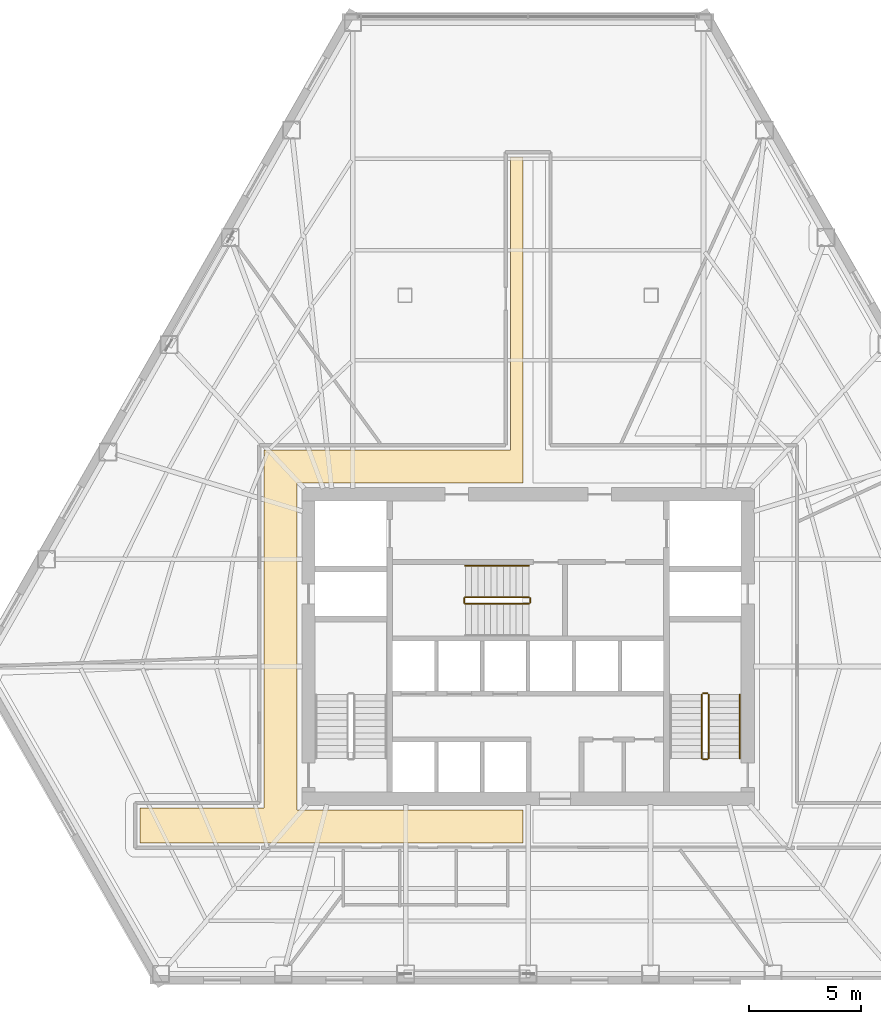
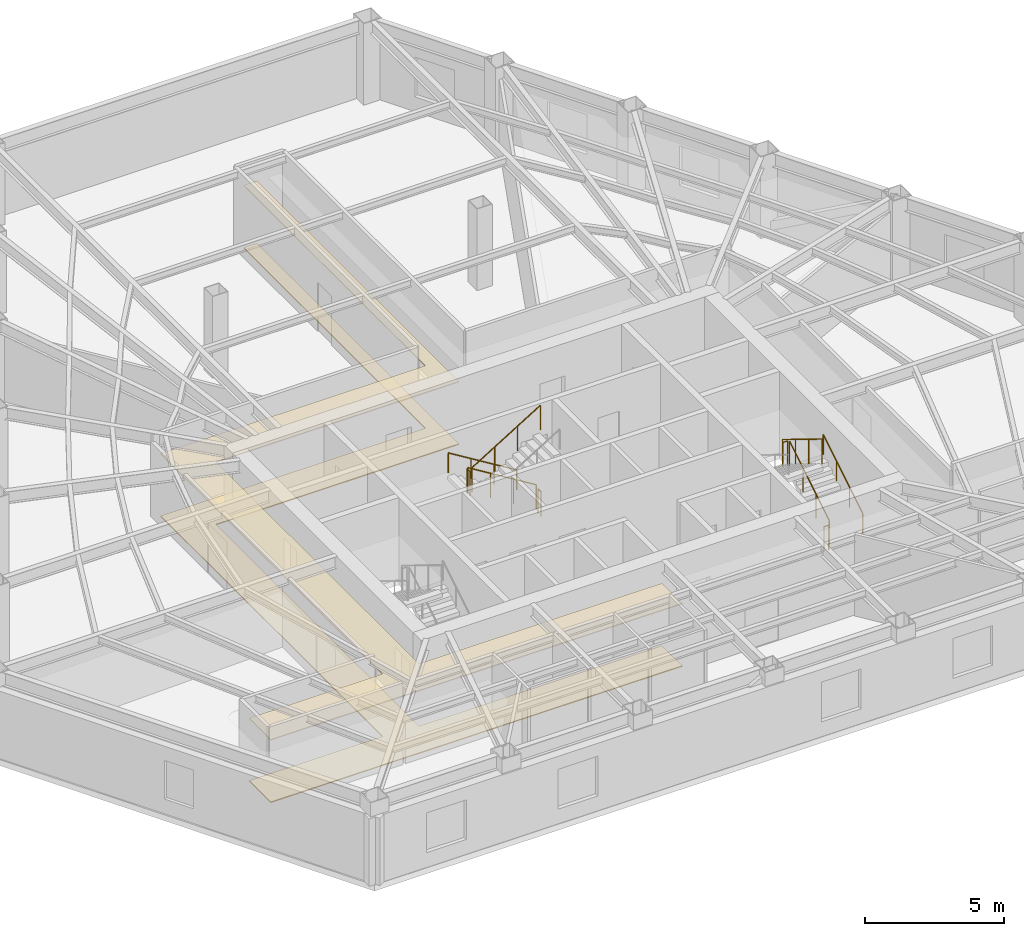
# One storey, part 11 of 12: 10 railings, 2 coverings.
"""IFC4 building model written with IfcOpenShell, lengths in metres."""

from ifc_helpers import new_model, si_unit, direction, frame, origin, origin_2d, place, context, subcontext, project, spatial, polyline, circle, outline, extrude, material, layer, layer_set, type_object, element, save


model = new_model("IFC4")

# Units and contexts
model_context = context("Model", 3, precision=1e-05, world=origin(), true_north=direction((0.0, 1.0)))
body_context = subcontext(model_context, "Body", "Model", "MODEL_VIEW")
ifc_project = project(units=[si_unit("LENGTHUNIT", "METRE"), si_unit("AREAUNIT", "SQUARE_METRE"), si_unit("VOLUMEUNIT", "CUBIC_METRE"), si_unit("PLANEANGLEUNIT", "RADIAN"), si_unit("MASSUNIT", "GRAM", prefix="KILO")], contexts=[model_context])

# Site, building, storey
site_placement = place(None, origin())
site = spatial("IfcSite", under=ifc_project, at=site_placement, CompositionType="ELEMENT")
building_placement = place(site_placement, origin())
building = spatial("IfcBuilding", under=site, at=building_placement, Name="Kavelnor Concourse Tower", CompositionType="ELEMENT")
storey_placement = place(building_placement, frame((0.0, 0.0, 21.39990234375)))
storey = spatial("IfcBuildingStorey", under=building, at=storey_placement, Name="L05", CompositionType="ELEMENT", Elevation=21.39990234375)

# Coverings
ifc_material_1 = material(Name="Mineral fibre acoustic ceiling tile")
ifc_layer_1 = layer(ifc_material_1, 0.0400390625, Name="Mineral fibre acoustic ceiling tile")
ifc_layer_set_1 = layer_set([ifc_layer_1], Name="Mineral fibre acoustic ceiling tile")
covering_type_1 = type_object("IfcCoveringType", Name="COV-CEILING-ACOUSTIC", PredefinedType="CEILING", material=ifc_layer_set_1)
covering_1_placement = place(storey_placement, frame((0.0, 0.0, 2.75)))
element("IfcCovering", 1, at=covering_1_placement, inside=storey, type_object=covering_type_1, Name="L05 Suspended Acoustic Ceiling", PredefinedType="CEILING", context=body_context, shape_type="SweptSolid", body=[
    extrude(outline(polyline([(37.219970703125, 37.97998046875), (37.77490234375, 37.97998046875), (37.77490234375, 23.419921875), (27.659912109375, 23.419921875), (27.659912109375, 8.780029296875), (37.77490234375, 8.780029296875), (37.77490234375, 7.320068359375), (20.650390625, 7.320068359375), (20.650390625, 8.8798828125), (26.199951171875, 8.8798828125), (26.199951171875, 24.8798828125), (37.219970703125, 24.8798828125), (37.219970703125, 37.97998046875)])), origin(), (0.0, 0.0, 1.0), 0.0400390625),
])
ifc_material_2 = material(Name="Honed bluestone and raised access floor finish", Category="masonry")
ifc_layer_2 = layer(ifc_material_2, 0.0400390625, Name="Honed bluestone and raised access floor finish")
ifc_layer_set_2 = layer_set([ifc_layer_2], Name="Honed bluestone and raised access floor finish")
covering_type_2 = type_object("IfcCoveringType", Name="COV-FLOOR-STONE", PredefinedType="FLOORING", material=ifc_layer_set_2)
covering_2_placement = place(storey_placement, frame((0.0, 0.0, 0.002197265625)))
element("IfcCovering", 2, at=covering_2_placement, inside=storey, type_object=covering_type_2, Name="L05 Honed Bluestone Floor Finish", PredefinedType="FLOORING", context=body_context, shape_type="SweptSolid", body=[
    extrude(outline(polyline([(37.219970703125, 37.97998046875), (37.77490234375, 37.97998046875), (37.77490234375, 23.419921875), (27.659912109375, 23.419921875), (27.659912109375, 8.780029296875), (37.77490234375, 8.780029296875), (37.77490234375, 7.320068359375), (20.650390625, 7.320068359375), (20.650390625, 8.8798828125), (26.199951171875, 8.8798828125), (26.199951171875, 24.8798828125), (37.219970703125, 24.8798828125), (37.219970703125, 37.97998046875)])), origin(), (0.0, 0.0, 1.0), 0.039794921875),
])

# Railings
ifc_material_3 = material(Name="Steel Grade 350", Category="steel")
railing_type_1 = type_object("IfcRailingType", Name="RLG-GUARD-1100", PredefinedType="GUARDRAIL", material=ifc_material_3)
railing_1_placement = place(storey_placement, frame((46.070068359375, 11.10009765625, 0.175048828125)))
element("IfcRailing", 3, at=railing_1_placement, inside=storey, type_object=railing_type_1, Name="L05 ST2 stair guard 1", PredefinedType="GUARDRAIL", context=body_context, shape_type="SweptSolid", body=[
    extrude(circle(Radius=0.02392578125, at=origin_2d()), frame((0.0, 0.0, 1.076171875), z_axis=(0.0, 0.852159232446, 0.523282564737), x_axis=(-1.0, 0.0, 0.0)), (0.0, 0.0, 1.0), 3.34423828125),
    extrude(circle(Radius=0.02099609375, at=origin_2d()), origin(), (0.0, 0.0, 1.0), 1.052001953125),
    extrude(circle(Radius=0.02099609375, at=origin_2d()), frame((0.0, 0.949951171875, 0.583251953125)), (0.0, 0.0, 1.0), 1.052001953125),
    extrude(circle(Radius=0.02099609375, at=origin_2d()), frame((0.0, 1.89990234375, 1.166748046875)), (0.0, 0.0, 1.0), 1.052001953125),
    extrude(circle(Radius=0.02099609375, at=origin_2d()), frame((0.0, 2.849853515625, 1.75)), (0.0, 0.0, 1.0), 1.052001953125),
])
railing_2_placement = place(storey_placement, frame((46.02001953125, 14.0, 1.925048828125)))
element("IfcRailing", 4, at=railing_2_placement, inside=storey, type_object=railing_type_1, Name="L05 ST2 stair guard 2", PredefinedType="GUARDRAIL", context=body_context, shape_type="SweptSolid", body=[
    extrude(circle(Radius=0.02392578125, at=origin_2d()), frame((0.0, 0.0, 1.076171875), z_axis=(-1.0, 0.0, 0.0), x_axis=(0.0, -1.0, 0.0)), (0.0, 0.0, 1.0), 0.199951171875),
    extrude(circle(Radius=0.02099609375, at=origin_2d()), origin(), (0.0, 0.0, 1.0), 1.052001953125),
    extrude(circle(Radius=0.02099609375, at=origin_2d()), frame((-0.199951171875, 0.0, 0.0)), (0.0, 0.0, 1.0), 1.052001953125),
])
railing_3_placement = place(storey_placement, frame((45.77001953125, 13.949951171875, 2.10009765625)))
element("IfcRailing", 5, at=railing_3_placement, inside=storey, type_object=railing_type_1, Name="L05 ST2 stair guard 3", PredefinedType="GUARDRAIL", context=body_context, shape_type="SweptSolid", body=[
    extrude(circle(Radius=0.02392578125, at=origin_2d()), frame((0.0, 0.0, 1.076171875), z_axis=(0.0, -0.852159232446, 0.523282564737), x_axis=(1.0, 0.0, 0.0)), (0.0, 0.0, 1.0), 3.34423828125),
    extrude(circle(Radius=0.02099609375, at=origin_2d()), origin(), (0.0, 0.0, 1.0), 1.052001953125),
    extrude(circle(Radius=0.02099609375, at=origin_2d()), frame((0.0, -0.949951171875, 0.583251953125)), (0.0, 0.0, 1.0), 1.052001953125),
    extrude(circle(Radius=0.02099609375, at=origin_2d()), frame((0.0, -1.89990234375, 1.166748046875)), (0.0, 0.0, 1.0), 1.052001953125),
    extrude(circle(Radius=0.02099609375, at=origin_2d()), frame((0.0, -2.849853515625, 1.75)), (0.0, 0.0, 1.0), 1.052001953125),
])
railing_4_placement = place(storey_placement, frame((46.02001953125, 11.050048828125, 0.0)))
element("IfcRailing", 6, at=railing_4_placement, inside=storey, type_object=railing_type_1, Name="L05 ST2 stair guard 4", PredefinedType="GUARDRAIL", context=body_context, shape_type="SweptSolid", body=[
    extrude(circle(Radius=0.02392578125, at=origin_2d()), frame((0.0, 0.0, 1.076171875), z_axis=(-1.0, 0.0, 0.0), x_axis=(0.0, -1.0, 0.0)), (0.0, 0.0, 1.0), 0.199951171875),
    extrude(circle(Radius=0.02099609375, at=origin_2d()), origin(), (0.0, 0.0, 1.0), 1.052001953125),
    extrude(circle(Radius=0.02099609375, at=origin_2d()), frame((-0.199951171875, 0.0, 0.0)), (0.0, 0.0, 1.0), 1.052001953125),
])
railing_5_placement = place(storey_placement, frame((38.0400390625, 18.31005859375, 0.175048828125)))
element("IfcRailing", 7, at=railing_5_placement, inside=storey, type_object=railing_type_1, Name="L05 ST3 stair guard 1", PredefinedType="GUARDRAIL", context=body_context, shape_type="SweptSolid", body=[
    extrude(circle(Radius=0.02392578125, at=origin_2d()), frame((0.0, 0.0, 1.076171875), z_axis=(-0.852179220489, 0.0, 0.52325001306), x_axis=(0.0, -1.0, 0.0)), (0.0, 0.0, 1.0), 3.344482421875),
    extrude(circle(Radius=0.02099609375, at=origin_2d()), origin(), (0.0, 0.0, 1.0), 1.052001953125),
    extrude(circle(Radius=0.02099609375, at=origin_2d()), frame((-0.949951171875, 0.0, 0.583251953125)), (0.0, 0.0, 1.0), 1.052001953125),
    extrude(circle(Radius=0.02099609375, at=origin_2d()), frame((-1.900146484375, 0.0, 1.166748046875)), (0.0, 0.0, 1.0), 1.052001953125),
    extrude(circle(Radius=0.02099609375, at=origin_2d()), frame((-2.85009765625, 0.0, 1.75)), (0.0, 0.0, 1.0), 1.052001953125),
])
railing_6_placement = place(storey_placement, frame((35.139892578125, 18.260009765625, 1.925048828125)))
element("IfcRailing", 8, at=railing_6_placement, inside=storey, type_object=railing_type_1, Name="L05 ST3 stair guard 2", PredefinedType="GUARDRAIL", context=body_context, shape_type="SweptSolid", body=[
    extrude(circle(Radius=0.02392578125, at=origin_2d()), frame((0.0, 0.0, 1.076171875), z_axis=(0.0, -1.0, 0.0), x_axis=(1.0, 0.0, 0.0)), (0.0, 0.0, 1.0), 0.199951171875),
    extrude(circle(Radius=0.02099609375, at=origin_2d()), origin(), (0.0, 0.0, 1.0), 1.052001953125),
    extrude(circle(Radius=0.02099609375, at=origin_2d()), frame((0.0, -0.199951171875, 0.0)), (0.0, 0.0, 1.0), 1.052001953125),
])
railing_7_placement = place(storey_placement, frame((35.18994140625, 18.010009765625, 2.10009765625)))
element("IfcRailing", 9, at=railing_7_placement, inside=storey, type_object=railing_type_1, Name="L05 ST3 stair guard 3", PredefinedType="GUARDRAIL", context=body_context, shape_type="SweptSolid", body=[
    extrude(circle(Radius=0.02392578125, at=origin_2d()), frame((0.0, 0.0, 1.076171875), z_axis=(0.852179220489, 0.0, 0.52325001306), x_axis=(0.0, 1.0, 0.0)), (0.0, 0.0, 1.0), 3.344482421875),
    extrude(circle(Radius=0.02099609375, at=origin_2d()), origin(), (0.0, 0.0, 1.0), 1.052001953125),
    extrude(circle(Radius=0.02099609375, at=origin_2d()), frame((0.949951171875, 0.0, 0.583251953125)), (0.0, 0.0, 1.0), 1.052001953125),
    extrude(circle(Radius=0.02099609375, at=origin_2d()), frame((1.900146484375, 0.0, 1.166748046875)), (0.0, 0.0, 1.0), 1.052001953125),
    extrude(circle(Radius=0.02099609375, at=origin_2d()), frame((2.85009765625, 0.0, 1.75)), (0.0, 0.0, 1.0), 1.052001953125),
])
railing_8_placement = place(storey_placement, frame((38.090087890625, 18.260009765625, 0.0)))
element("IfcRailing", 10, at=railing_8_placement, inside=storey, type_object=railing_type_1, Name="L05 ST3 stair guard 4", PredefinedType="GUARDRAIL", context=body_context, shape_type="SweptSolid", body=[
    extrude(circle(Radius=0.02392578125, at=origin_2d()), frame((0.0, 0.0, 1.076171875), z_axis=(0.0, -1.0, 0.0), x_axis=(1.0, 0.0, 0.0)), (0.0, 0.0, 1.0), 0.199951171875),
    extrude(circle(Radius=0.02099609375, at=origin_2d()), origin(), (0.0, 0.0, 1.0), 1.052001953125),
    extrude(circle(Radius=0.02099609375, at=origin_2d()), frame((0.0, -0.199951171875, 0.0)), (0.0, 0.0, 1.0), 1.052001953125),
])
railing_type_2 = type_object("IfcRailingType", Name="RLG-HANDRAIL-900", PredefinedType="HANDRAIL", material=ifc_material_3)
railing_9_placement = place(storey_placement, frame((47.469970703125, 11.10009765625, 0.175048828125)))
element("IfcRailing", 11, at=railing_9_placement, inside=storey, type_object=railing_type_2, Name="L05 ST2 stair handrail 1", PredefinedType="HANDRAIL", context=body_context, shape_type="SweptSolid", body=[
    extrude(circle(Radius=0.02392578125, at=origin_2d()), frame((0.0, 0.0, 0.8759765625), z_axis=(0.0, 0.852159232446, 0.523282564737), x_axis=(-1.0, 0.0, 0.0)), (0.0, 0.0, 1.0), 3.34423828125),
    extrude(circle(Radius=0.02099609375, at=origin_2d()), origin(), (0.0, 0.0, 1.0), 0.851806640625),
    extrude(circle(Radius=0.02099609375, at=origin_2d()), frame((0.0, 0.949951171875, 0.583251953125)), (0.0, 0.0, 1.0), 0.851806640625),
    extrude(circle(Radius=0.02099609375, at=origin_2d()), frame((0.0, 1.89990234375, 1.166748046875)), (0.0, 0.0, 1.0), 0.851806640625),
    extrude(circle(Radius=0.02099609375, at=origin_2d()), frame((0.0, 2.849853515625, 1.75)), (0.0, 0.0, 1.0), 0.851806640625),
])
railing_10_placement = place(storey_placement, frame((38.0400390625, 19.7099609375, 0.175048828125)))
element("IfcRailing", 12, at=railing_10_placement, inside=storey, type_object=railing_type_2, Name="L05 ST3 stair handrail 1", PredefinedType="HANDRAIL", context=body_context, shape_type="SweptSolid", body=[
    extrude(circle(Radius=0.02392578125, at=origin_2d()), frame((0.0, 0.0, 0.8759765625), z_axis=(-0.852179220489, 0.0, 0.52325001306), x_axis=(0.0, -1.0, 0.0)), (0.0, 0.0, 1.0), 3.344482421875),
    extrude(circle(Radius=0.02099609375, at=origin_2d()), origin(), (0.0, 0.0, 1.0), 0.851806640625),
    extrude(circle(Radius=0.02099609375, at=origin_2d()), frame((-0.949951171875, 0.0, 0.583251953125)), (0.0, 0.0, 1.0), 0.851806640625),
    extrude(circle(Radius=0.02099609375, at=origin_2d()), frame((-1.900146484375, 0.0, 1.166748046875)), (0.0, 0.0, 1.0), 0.851806640625),
    extrude(circle(Radius=0.02099609375, at=origin_2d()), frame((-2.85009765625, 0.0, 1.75)), (0.0, 0.0, 1.0), 0.851806640625),
])

save(model, "model.ifc")
